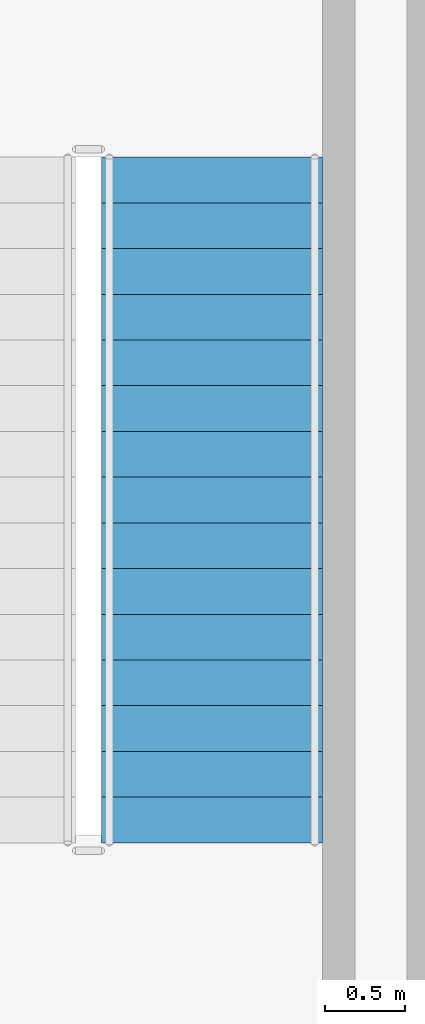
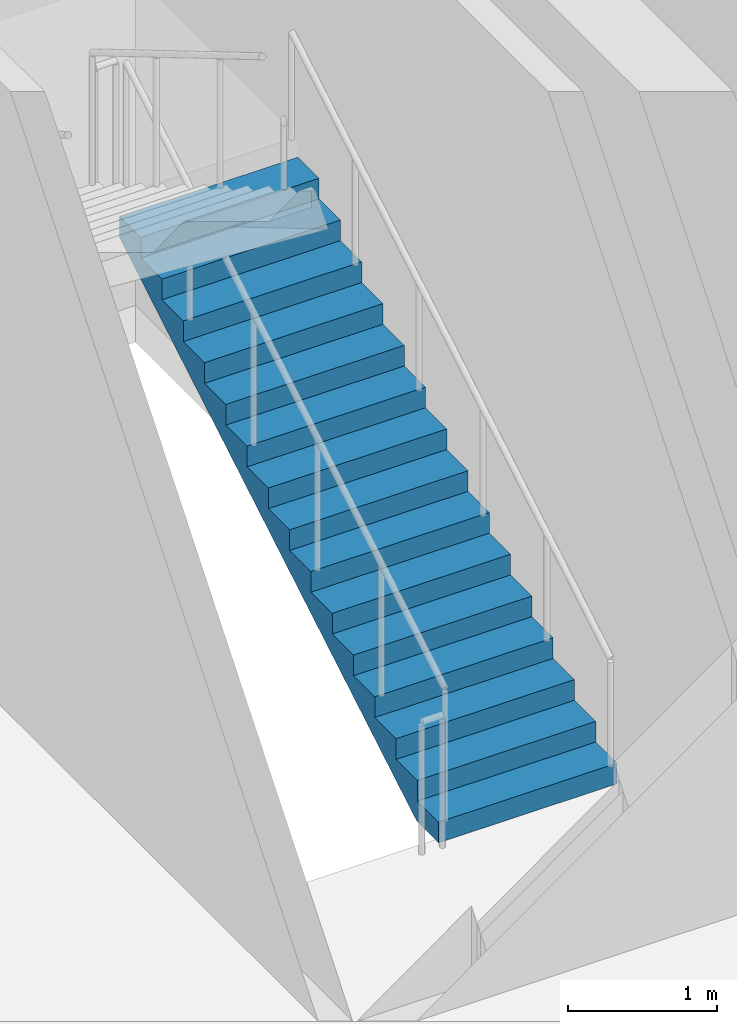
# One storey, part 23 of 24: 1 stair flight, 1 element without a shape of its own.
"""IFC4 building model written with IfcOpenShell, lengths in metres."""

from ifc_helpers import new_model, si_unit, direction, frame, origin, place, context, subcontext, project, spatial, polyline, outline, extrude, material, type_object, element, aggregate, save


model = new_model("IFC4")

# Units and contexts
model_context = context("Model", 3, precision=1e-05, world=origin(), true_north=direction((0.0, 1.0)))
body_context = subcontext(model_context, "Body", "Model", "MODEL_VIEW")
ifc_project = project(units=[si_unit("LENGTHUNIT", "METRE"), si_unit("AREAUNIT", "SQUARE_METRE"), si_unit("VOLUMEUNIT", "CUBIC_METRE"), si_unit("PLANEANGLEUNIT", "RADIAN"), si_unit("MASSUNIT", "GRAM", prefix="KILO")], contexts=[model_context])

# Site, building, storey
site_placement = place(None, origin())
site = spatial("IfcSite", under=ifc_project, at=site_placement, CompositionType="ELEMENT")
building_placement = place(site_placement, origin())
building = spatial("IfcBuilding", under=site, at=building_placement, Name="Kovane Verandah Tower", CompositionType="ELEMENT")
storey_placement = place(building_placement, frame((0.0, 0.0, 194.800048828125)))
storey = spatial("IfcBuildingStorey", under=building, at=storey_placement, Name="L45", CompositionType="ELEMENT", Elevation=194.800048828125)

# Stair, stair flight
ifc_material = material(Name="Concrete C45/55", Category="concrete")
stair_type = type_object("IfcStairType", Name="ST-CORE-1380", PredefinedType="HALF_TURN_STAIR", material=ifc_material)
stair_placement = place(storey_placement, origin())
stair = element("IfcStair", 1, at=stair_placement, inside=storey, type_object=stair_type, Name="L45 Exit Stair ST-02", PredefinedType="HALF_TURN_STAIR")
stair_flight_type = type_object("IfcStairFlightType", Name="STF-CORE-1380", PredefinedType="STRAIGHT", material=ifc_material)
stair_flight_placement = place(storey_placement, frame((49.510009765625, 29.25, 0.0), z_axis=(0.0, 0.0, 1.0), x_axis=(0.0, 1.0, 0.0)))
stair_flight = element("IfcStairFlight", 2, at=stair_flight_placement, type_object=stair_flight_type, Name="ST-02 flight 1", NumberOfRisers=16, NumberOfTreads=15, PredefinedType="STRAIGHT", RiserHeight=0.16875, TreadLength=0.285, context=body_context, shape_type="SweptSolid", body=[
    extrude(outline(polyline([(0.0, 0.0), (0.0, 0.168701171875), (0.284912109375, 0.168701171875), (0.284912109375, 0.33740234375), (0.570068359375, 0.33740234375), (0.570068359375, 0.50634765625), (0.85498046875, 0.50634765625), (0.85498046875, 0.675048828125), (1.139892578125, 0.675048828125), (1.139892578125, 0.84375), (1.425048828125, 0.84375), (1.425048828125, 1.012451171875), (1.7099609375, 1.012451171875), (1.7099609375, 1.18115234375), (1.9951171875, 1.18115234375), (1.9951171875, 1.35009765625), (2.280029296875, 1.35009765625), (2.280029296875, 1.518798828125), (2.56494140625, 1.518798828125), (2.56494140625, 1.6875), (2.85009765625, 1.6875), (2.85009765625, 1.856201171875), (3.135009765625, 1.856201171875), (3.135009765625, 2.02490234375), (3.419921875, 2.02490234375), (3.419921875, 2.19384765625), (3.705078125, 2.19384765625), (3.705078125, 2.362548828125), (3.989990234375, 2.362548828125), (3.989990234375, 2.53125), (4.27490234375, 2.53125), (4.27490234375, 2.699951171875), (4.27490234375, 2.35693359375), (0.294189453125, 0.0), (0.0, 0.0)])), frame((0.0, 0.68994140625, 0.0), z_axis=(0.0, -1.0, 0.0), x_axis=(1.0, 0.0, 0.0)), (0.0, 0.0, 1.0), 1.3798828125),
])
aggregate(stair, [stair_flight])

save(model, "model.ifc")
